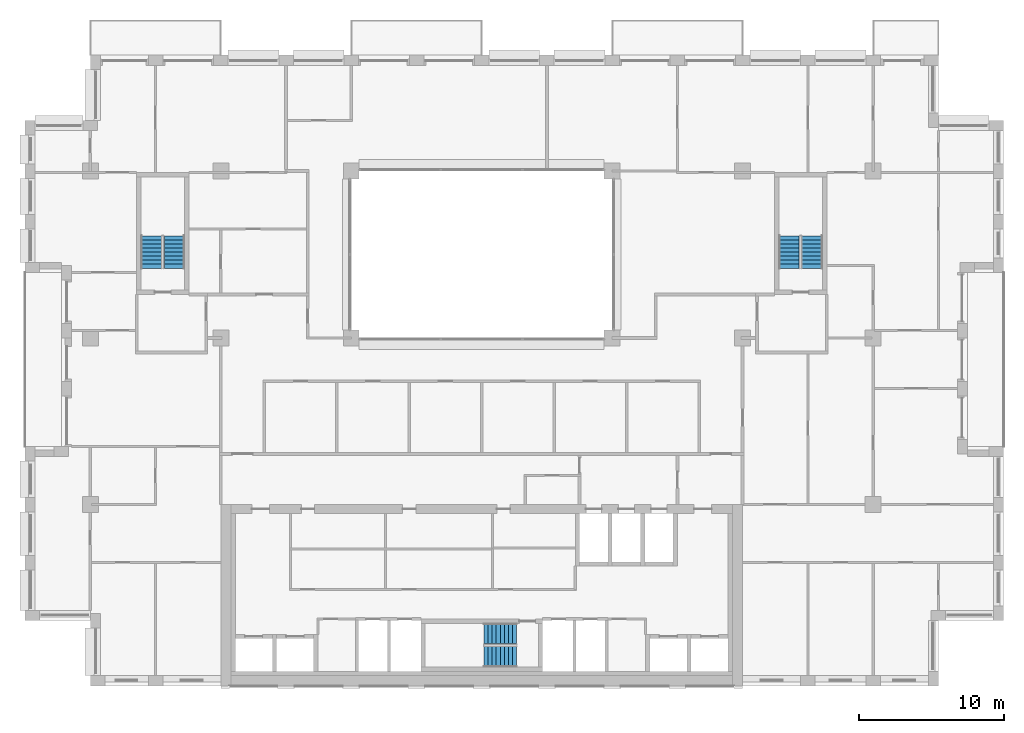
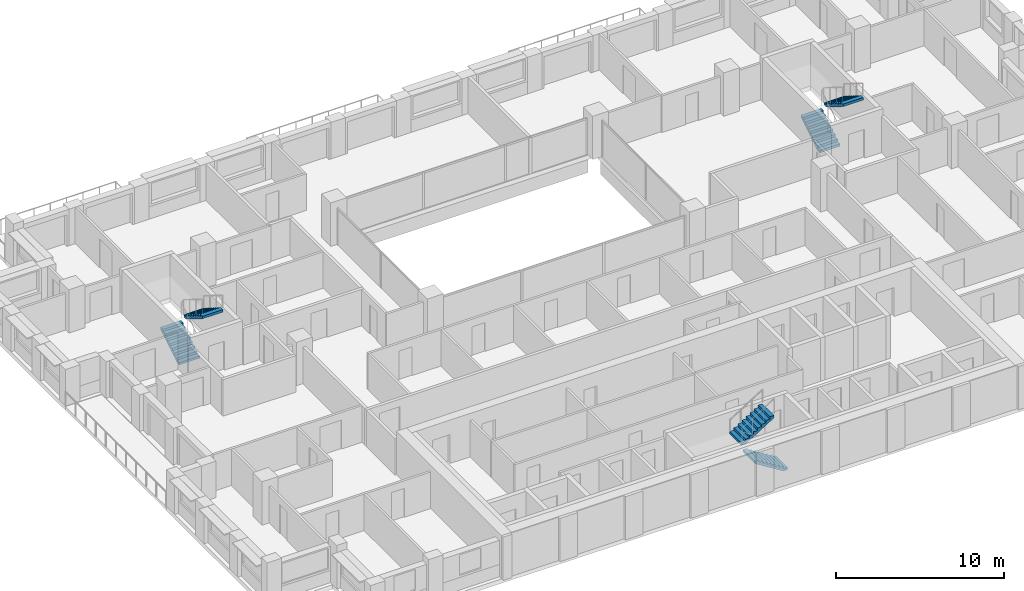
# One storey, part 15 of 16: 6 stair flights, 3 elements without a shape of their own.
"""IFC4 building model written with IfcOpenShell, lengths in metres."""

from ifc_helpers import new_model, si_unit, direction, frame, origin, place, context, subcontext, project, spatial, polyline, outline, extrude, material, type_object, element, aggregate, save


model = new_model("IFC4")

# Units and contexts
model_context = context("Model", 3, precision=1e-05, world=origin(), true_north=direction((0.0, 1.0)))
body_context = subcontext(model_context, "Body", "Model", "MODEL_VIEW")
ifc_project = project(units=[si_unit("LENGTHUNIT", "METRE"), si_unit("AREAUNIT", "SQUARE_METRE"), si_unit("VOLUMEUNIT", "CUBIC_METRE"), si_unit("PLANEANGLEUNIT", "RADIAN"), si_unit("MASSUNIT", "GRAM", prefix="KILO")], contexts=[model_context])

# Site, building, storey
site_placement = place(None, origin())
site = spatial("IfcSite", under=ifc_project, at=site_placement, CompositionType="ELEMENT")
building_placement = place(site_placement, origin())
building = spatial("IfcBuilding", under=site, at=building_placement, Name="Brigalow Station Residences", CompositionType="ELEMENT")
storey_placement = place(building_placement, frame((0.0, 0.0, 182.25)))
storey = spatial("IfcBuildingStorey", under=building, at=storey_placement, Name="L53", CompositionType="ELEMENT", Elevation=182.25)

# Stair, stair flights
ifc_material_1 = material(Name="Concrete C50", Category="concrete")
stair_type = type_object("IfcStairType", Name="EXIT STAIR 1400 2 FLIGHT", PredefinedType="HALF_TURN_STAIR", material=ifc_material_1)
stair_1_placement = place(storey_placement, origin())
stair_1 = element("IfcStair", 1, at=stair_1_placement, inside=storey, type_object=stair_type, Name="EXIT STAIR S2 L53", PredefinedType="HALF_TURN_STAIR")
ifc_material_2 = material(Name="Concrete C50", Category="concrete")
stair_flight_type = type_object("IfcStairFlightType", Name="STAIR FLIGHT 1400", PredefinedType="STRAIGHT", material=ifc_material_2)
stair_flight_1_placement = place(storey_placement, frame((38.39990234375, 2.0, 0.0), z_axis=(0.0, 0.0, 1.0), x_axis=(-1.0, 0.0, 0.0)))
stair_flight_1 = element("IfcStairFlight", 2, at=stair_flight_1_placement, type_object=stair_flight_type, Name="ST-2 flight 1", NumberOfRisers=9, NumberOfTreads=8, PredefinedType="STRAIGHT", RiserHeight=0.175, TreadLength=0.28, context=body_context, shape_type="SweptSolid", body=[
    extrude(outline(polyline([(0.0, 0.0), (0.0, 0.175048828125), (0.280029296875, 0.175048828125), (0.280029296875, 0.35009765625), (0.56005859375, 0.35009765625), (0.56005859375, 0.52490234375), (0.840087890625, 0.52490234375), (0.840087890625, 0.699951171875), (1.1201171875, 0.699951171875), (1.1201171875, 0.875), (1.39990234375, 0.875), (1.39990234375, 1.050048828125), (1.679931640625, 1.050048828125), (1.679931640625, 1.22509765625), (1.9599609375, 1.22509765625), (1.9599609375, 1.39990234375), (2.239990234375, 1.39990234375), (2.239990234375, 1.574951171875), (2.239990234375, 1.22314453125), (0.28271484375, 0.0), (0.0, 0.0)])), frame((0.0, 0.699951171875, 0.0), z_axis=(0.0, -1.0, 0.0), x_axis=(1.0, 0.0, 0.0)), (0.0, 0.0, 1.0), 1.39990234375),
])
stair_flight_2_placement = place(storey_placement, frame((36.159912109375, 3.60009765625, 1.574951171875), z_axis=(0.0, 0.0, 1.0), x_axis=(1.0, 0.0, 0.0)))
stair_flight_2 = element("IfcStairFlight", 3, at=stair_flight_2_placement, type_object=stair_flight_type, Name="ST-2 flight 2", NumberOfRisers=9, NumberOfTreads=8, PredefinedType="STRAIGHT", RiserHeight=0.175, TreadLength=0.28, context=body_context, shape_type="SweptSolid", body=[
    extrude(outline(polyline([(0.0, 0.0), (0.0, 0.175048828125), (0.280029296875, 0.175048828125), (0.280029296875, 0.35009765625), (0.56005859375, 0.35009765625), (0.56005859375, 0.52490234375), (0.840087890625, 0.52490234375), (0.840087890625, 0.699951171875), (1.1201171875, 0.699951171875), (1.1201171875, 0.875), (1.39990234375, 0.875), (1.39990234375, 1.050048828125), (1.679931640625, 1.050048828125), (1.679931640625, 1.22509765625), (1.9599609375, 1.22509765625), (1.9599609375, 1.39990234375), (2.239990234375, 1.39990234375), (2.239990234375, 1.574951171875), (2.239990234375, 1.22314453125), (0.28271484375, 0.0), (0.0, 0.0)])), frame((0.0, 0.699951171875, 0.0), z_axis=(0.0, -1.0, 0.0), x_axis=(1.0, 0.0, 0.0)), (0.0, 0.0, 1.0), 1.39990234375),
])
aggregate(stair_1, [stair_flight_1, stair_flight_2])

stair_2_placement = place(storey_placement, origin())
stair_2 = element("IfcStair", 4, at=stair_2_placement, inside=storey, type_object=stair_type, Name="EXIT STAIR S1 L53", PredefinedType="HALF_TURN_STAIR")
stair_flight_3_placement = place(storey_placement, frame((13.199951171875, 28.800048828125, 0.0), z_axis=(0.0, 0.0, 1.0), x_axis=(0.0, 1.0, 0.0)))
stair_flight_3 = element("IfcStairFlight", 5, at=stair_flight_3_placement, type_object=stair_flight_type, Name="ST-1 flight 1", NumberOfRisers=9, NumberOfTreads=8, PredefinedType="STRAIGHT", RiserHeight=0.175, TreadLength=0.28, context=body_context, shape_type="SweptSolid", body=[
    extrude(outline(polyline([(0.0, 0.0), (0.0, 0.175048828125), (0.280029296875, 0.175048828125), (0.280029296875, 0.35009765625), (0.56005859375, 0.35009765625), (0.56005859375, 0.52490234375), (0.840087890625, 0.52490234375), (0.840087890625, 0.699951171875), (1.1201171875, 0.699951171875), (1.1201171875, 0.875), (1.39990234375, 0.875), (1.39990234375, 1.050048828125), (1.679931640625, 1.050048828125), (1.679931640625, 1.22509765625), (1.9599609375, 1.22509765625), (1.9599609375, 1.39990234375), (2.239990234375, 1.39990234375), (2.239990234375, 1.574951171875), (2.239990234375, 1.22314453125), (0.28271484375, 0.0), (0.0, 0.0)])), frame((0.0, 0.699951171875, 0.0), z_axis=(0.0, -1.0, 0.0), x_axis=(1.0, 0.0, 0.0)), (0.0, 0.0, 1.0), 1.39990234375),
])
stair_flight_4_placement = place(storey_placement, frame((14.800048828125, 31.0400390625, 1.574951171875), z_axis=(0.0, 0.0, 1.0), x_axis=(0.0, -1.0, 0.0)))
stair_flight_4 = element("IfcStairFlight", 6, at=stair_flight_4_placement, type_object=stair_flight_type, Name="ST-1 flight 2", NumberOfRisers=9, NumberOfTreads=8, PredefinedType="STRAIGHT", RiserHeight=0.175, TreadLength=0.28, context=body_context, shape_type="SweptSolid", body=[
    extrude(outline(polyline([(0.0, 0.0), (0.0, 0.175048828125), (0.280029296875, 0.175048828125), (0.280029296875, 0.35009765625), (0.56005859375, 0.35009765625), (0.56005859375, 0.52490234375), (0.840087890625, 0.52490234375), (0.840087890625, 0.699951171875), (1.1201171875, 0.699951171875), (1.1201171875, 0.875), (1.39990234375, 0.875), (1.39990234375, 1.050048828125), (1.679931640625, 1.050048828125), (1.679931640625, 1.22509765625), (1.9599609375, 1.22509765625), (1.9599609375, 1.39990234375), (2.239990234375, 1.39990234375), (2.239990234375, 1.574951171875), (2.239990234375, 1.22314453125), (0.28271484375, 0.0), (0.0, 0.0)])), frame((0.0, 0.699951171875, 0.0), z_axis=(0.0, -1.0, 0.0), x_axis=(1.0, 0.0, 0.0)), (0.0, 0.0, 1.0), 1.39990234375),
])
aggregate(stair_2, [stair_flight_3, stair_flight_4])

stair_3_placement = place(storey_placement, origin())
stair_3 = element("IfcStair", 7, at=stair_3_placement, inside=storey, type_object=stair_type, Name="EXIT STAIR S3 L53", PredefinedType="HALF_TURN_STAIR")
stair_flight_5_placement = place(storey_placement, frame((57.199951171875, 28.800048828125, 0.0), z_axis=(0.0, 0.0, 1.0), x_axis=(0.0, 1.0, 0.0)))
stair_flight_5 = element("IfcStairFlight", 8, at=stair_flight_5_placement, type_object=stair_flight_type, Name="ST-3 flight 1", NumberOfRisers=9, NumberOfTreads=8, PredefinedType="STRAIGHT", RiserHeight=0.175, TreadLength=0.28, context=body_context, shape_type="SweptSolid", body=[
    extrude(outline(polyline([(0.0, 0.0), (0.0, 0.175048828125), (0.280029296875, 0.175048828125), (0.280029296875, 0.35009765625), (0.56005859375, 0.35009765625), (0.56005859375, 0.52490234375), (0.840087890625, 0.52490234375), (0.840087890625, 0.699951171875), (1.1201171875, 0.699951171875), (1.1201171875, 0.875), (1.39990234375, 0.875), (1.39990234375, 1.050048828125), (1.679931640625, 1.050048828125), (1.679931640625, 1.22509765625), (1.9599609375, 1.22509765625), (1.9599609375, 1.39990234375), (2.239990234375, 1.39990234375), (2.239990234375, 1.574951171875), (2.239990234375, 1.22314453125), (0.28271484375, 0.0), (0.0, 0.0)])), frame((0.0, 0.699951171875, 0.0), z_axis=(0.0, -1.0, 0.0), x_axis=(1.0, 0.0, 0.0)), (0.0, 0.0, 1.0), 1.39990234375),
])
stair_flight_6_placement = place(storey_placement, frame((58.800048828125, 31.0400390625, 1.574951171875), z_axis=(0.0, 0.0, 1.0), x_axis=(0.0, -1.0, 0.0)))
stair_flight_6 = element("IfcStairFlight", 9, at=stair_flight_6_placement, type_object=stair_flight_type, Name="ST-3 flight 2", NumberOfRisers=9, NumberOfTreads=8, PredefinedType="STRAIGHT", RiserHeight=0.175, TreadLength=0.28, context=body_context, shape_type="SweptSolid", body=[
    extrude(outline(polyline([(0.0, 0.0), (0.0, 0.175048828125), (0.280029296875, 0.175048828125), (0.280029296875, 0.35009765625), (0.56005859375, 0.35009765625), (0.56005859375, 0.52490234375), (0.840087890625, 0.52490234375), (0.840087890625, 0.699951171875), (1.1201171875, 0.699951171875), (1.1201171875, 0.875), (1.39990234375, 0.875), (1.39990234375, 1.050048828125), (1.679931640625, 1.050048828125), (1.679931640625, 1.22509765625), (1.9599609375, 1.22509765625), (1.9599609375, 1.39990234375), (2.239990234375, 1.39990234375), (2.239990234375, 1.574951171875), (2.239990234375, 1.22314453125), (0.28271484375, 0.0), (0.0, 0.0)])), frame((0.0, 0.699951171875, 0.0), z_axis=(0.0, -1.0, 0.0), x_axis=(1.0, 0.0, 0.0)), (0.0, 0.0, 1.0), 1.39990234375),
])
aggregate(stair_3, [stair_flight_5, stair_flight_6])

save(model, "model.ifc")
